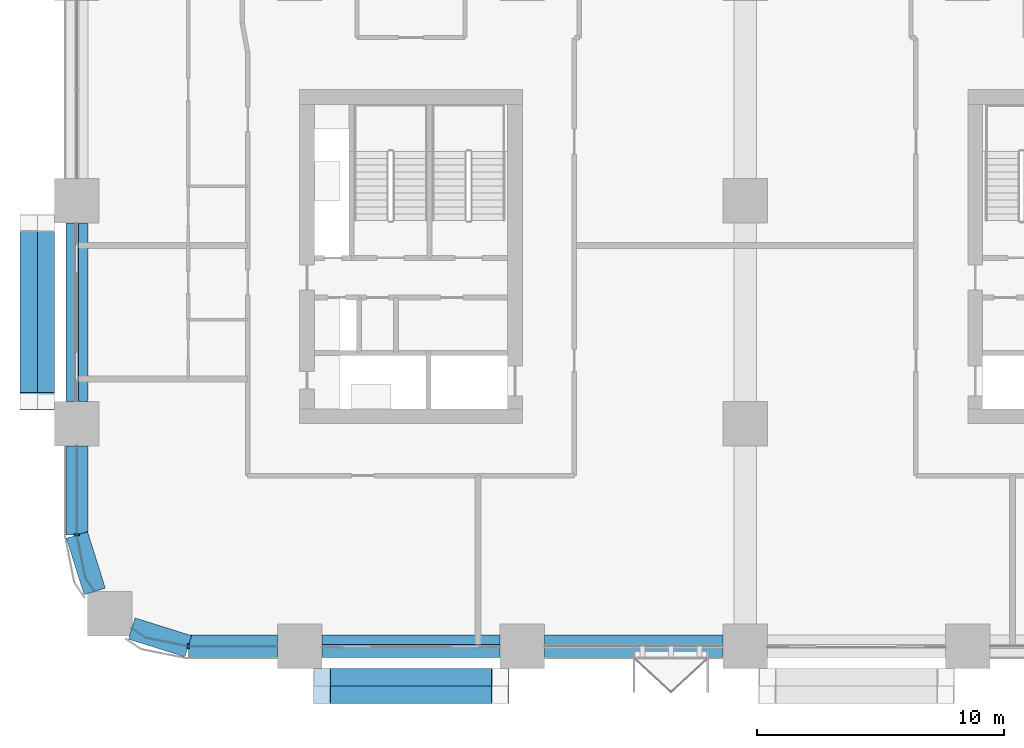
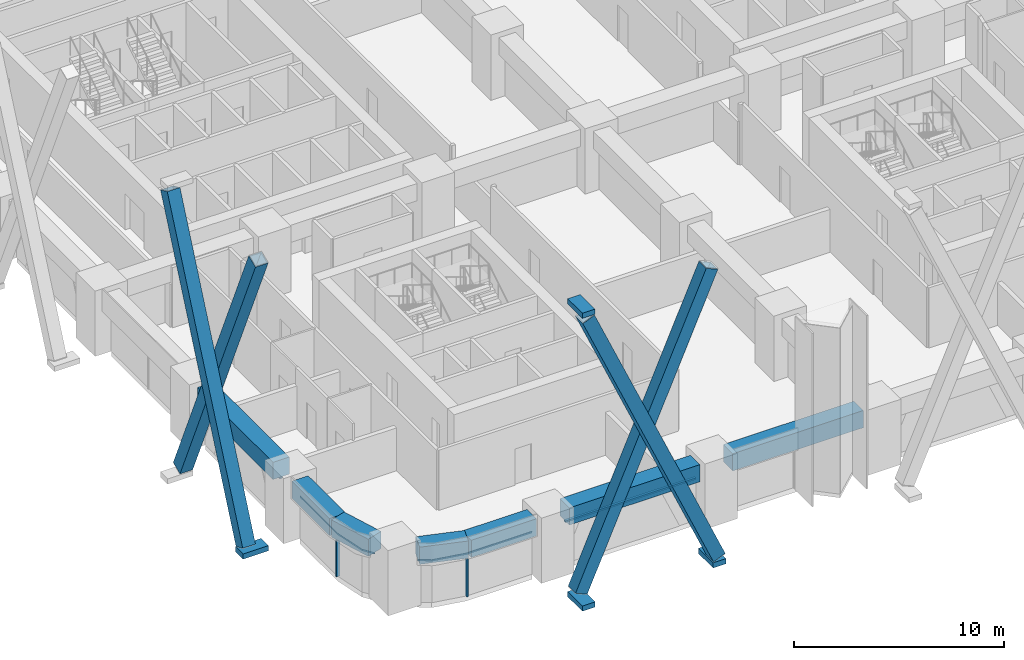
# One storey, part 2 of 24: 14 members, 7 beams, 4 elements without a shape of their own.
"""IFC4 building model written with IfcOpenShell, lengths in metres."""

from ifc_helpers import new_model, si_unit, direction, frame, origin, origin_2d, place, context, subcontext, project, spatial, polyline, rectangle, hollow_rectangle, outline, extrude, material, layer, layer_set, material_profile, profile_set, type_object, element, aggregate, save


model = new_model("IFC4")

# Units and contexts
model_context = context("Model", 3, precision=1e-05, world=origin(), true_north=direction((0.0, 1.0)))
body_context = subcontext(model_context, "Body", "Model", "MODEL_VIEW")
ifc_project = project(units=[si_unit("LENGTHUNIT", "METRE"), si_unit("AREAUNIT", "SQUARE_METRE"), si_unit("VOLUMEUNIT", "CUBIC_METRE"), si_unit("PLANEANGLEUNIT", "RADIAN"), si_unit("MASSUNIT", "GRAM", prefix="KILO")], contexts=[model_context])

# Site, building, storey
site_placement = place(None, origin())
site = spatial("IfcSite", under=ifc_project, at=site_placement, CompositionType="ELEMENT")
building_placement = place(site_placement, origin())
building = spatial("IfcBuilding", under=site, at=building_placement, Name="Tessera Arch", CompositionType="ELEMENT")
storey_placement = place(building_placement, frame((0.0, 0.0, 61.39990234375)))
storey = spatial("IfcBuildingStorey", under=building, at=storey_placement, Name="L13", CompositionType="ELEMENT", Elevation=61.39990234375)

# Members
ifc_material_1 = material(Name="Steel A572 Gr50", Category="steel")
ifc_material_profile_1 = material_profile(ifc_material_1, hollow_rectangle(XDim=0.699951171875, YDim=0.699951171875, WallThickness=0.050048828125, at=origin_2d()), Name="BOX 700x700x50")
ifc_profile_set_1 = profile_set([ifc_material_profile_1], Name="Steel A572 Gr50")
member_type_1 = type_object("IfcMemberType", Name="Brace BOX 700x700x50 Steel A572 Gr50", PredefinedType="BRACE", material=ifc_profile_set_1)
for number, where, z_axis, x_axis, name in (
    (1, (9.89990234375, -1.25, -0.7998046875), (0.402001211434, 0.0, 0.915639135252), (0.0, 1.0, 0.0), "Brace S0.0-0 A L13-L16"),
    (2, (17.10009765625, -1.949951171875, -0.7998046875), (-0.402001211434, 0.0, 0.915639135252), (0.0, -1.0, 0.0), "Brace S0.0-0 B L13-L16"),
    (3, (-1.25, 17.10009765625, -0.7998046875), (0.0, -0.402001211434, 0.915639135252), (1.0, 0.0, 0.0), "Brace W0.0-4 A L13-L16"),
    (4, (-1.949951171875, 9.89990234375, -0.7998046875), (0.0, 0.402001211434, 0.915639135252), (-1.0, 0.0, 0.0), "Brace W0.0-4 B L13-L16"),
):
    element("IfcMember", number, at=place(storey_placement, frame(where, z_axis=z_axis, x_axis=x_axis)), inside=storey, type_object=member_type_1, Name=name, PredefinedType="BRACE", context=body_context, shape_type="SweptSolid", body=[
        extrude(hollow_rectangle(XDim=0.699951171875, YDim=0.699951171875, WallThickness=0.050048828125, at=origin_2d()), origin(), (0.0, 0.0, 1.0), 17.910888671875),
    ])

# Curtain wall, member
ifc_material_2 = material(Name="CW2 curtain wall")
curtain_wall_type_1 = type_object("IfcCurtainWallType", Name="CW2 curtain wall", PredefinedType="NOTDEFINED", material=ifc_material_2)
curtain_wall_1_placement = place(storey_placement, origin())
curtain_wall_1 = element("IfcCurtainWall", 5, at=curtain_wall_1_placement, inside=storey, type_object=curtain_wall_type_1, Name="CW2 curtain wall W0.0/5 L13", PredefinedType="NOTDEFINED")
ifc_material_3 = material(Name="Anodised aluminium pale metal", Category="aluminium")
ifc_material_profile_2 = material_profile(ifc_material_3, rectangle(XDim=0.199951171875, YDim=0.080078125, at=origin_2d()), Name="AL 80x200")
ifc_profile_set_2 = profile_set([ifc_material_profile_2], Name="Anodised aluminium pale metal")
member_type_2 = type_object("IfcMemberType", Name="CW2 mullion", PredefinedType="MULLION", material=ifc_profile_set_2)
member_1_placement = place(storey_placement, frame((0.0, 4.5, 0.0), z_axis=(0.0, 0.0, 1.0), x_axis=(1.0, 0.0, 0.0)))
member_1 = element("IfcMember", 6, at=member_1_placement, type_object=member_type_2, Name="CW2 mullion W0.0/5 1", PredefinedType="MULLION", context=body_context, shape_type="SweptSolid", body=[
    extrude(rectangle(XDim=0.199951171875, YDim=0.080078125, at=origin_2d()), origin(), (0.0, 0.0, 1.0), 2.400146484375),
])

curtain_wall_2_placement = place(storey_placement, origin())
curtain_wall_2 = element("IfcCurtainWall", 7, at=curtain_wall_2_placement, inside=storey, type_object=curtain_wall_type_1, Name="CW2 curtain wall S0.0/5 L13", PredefinedType="NOTDEFINED")
member_2_placement = place(storey_placement, frame((4.5, 0.0, 0.0), z_axis=(0.0, 0.0, 1.0), x_axis=(0.0, 1.0, 0.0)))
member_2 = element("IfcMember", 8, at=member_2_placement, type_object=member_type_2, Name="CW2 mullion S0.0/5 1", PredefinedType="MULLION", context=body_context, shape_type="SweptSolid", body=[
    extrude(rectangle(XDim=0.199951171875, YDim=0.080078125, at=origin_2d()), origin(), (0.0, 0.0, 1.0), 2.400146484375),
])

# Member
ifc_material_4 = material(Name="Anodised aluminium pale metal", Category="aluminium")
ifc_material_profile_3 = material_profile(ifc_material_4, rectangle(XDim=0.199951171875, YDim=0.10009765625, at=origin_2d()), Name="AL 200x100")
ifc_profile_set_3 = profile_set([ifc_material_profile_3], Name="Anodised aluminium pale metal")
member_type_3 = type_object("IfcMemberType", Name="CW2 transom", PredefinedType="USERDEFINED", material=ifc_profile_set_3)
member_3_placement = place(storey_placement, frame((0.0, 0.0, 2.400146484375)))
member_3 = element("IfcMember", 9, at=member_3_placement, type_object=member_type_3, Name="CW2 transom W0.0/5 1", ObjectType="TRANSOM", PredefinedType="USERDEFINED", context=body_context, shape_type="SweptSolid", body=[
    extrude(outline(polyline([(0.010009765625, 4.5009765625), (0.010009765625, 8.10009765625), (-0.010009765625, 8.10009765625), (-0.010009765625, 4.4990234375), (0.3330078125, 2.77392578125), (0.70849609375, 2.21240234375), (0.72509765625, 2.2236328125), (0.351806640625, 2.78173828125), (0.010009765625, 4.5009765625)])), origin(), (0.0, 0.0, 1.0), 0.099853515625),
])

aggregate(curtain_wall_1, [member_1, member_3])

member_4_placement = place(storey_placement, frame((0.0, 0.0, 2.400146484375)))
member_4 = element("IfcMember", 10, at=member_4_placement, type_object=member_type_3, Name="CW2 transom S0.0/5 1", ObjectType="TRANSOM", PredefinedType="USERDEFINED", context=body_context, shape_type="SweptSolid", body=[
    extrude(outline(polyline([(2.78173828125, 0.351806640625), (2.2236328125, 0.72509765625), (2.21240234375, 0.70849609375), (2.77392578125, 0.3330078125), (4.4990234375, -0.010009765625), (8.10009765625, -0.010009765625), (8.10009765625, 0.010009765625), (4.5009765625, 0.010009765625), (2.78173828125, 0.351806640625)])), origin(), (0.0, 0.0, 1.0), 0.099853515625),
])

aggregate(curtain_wall_2, [member_2, member_4])

# Curtain wall, member
ifc_material_5 = material(Name="CW3 curtain wall")
curtain_wall_type_2 = type_object("IfcCurtainWallType", Name="CW3 curtain wall", PredefinedType="NOTDEFINED", material=ifc_material_5)
curtain_wall_3_placement = place(storey_placement, origin())
curtain_wall_3 = element("IfcCurtainWall", 11, at=curtain_wall_3_placement, inside=storey, type_object=curtain_wall_type_2, Name="CW3 curtain wall S0.0/0 L13", PredefinedType="NOTDEFINED")
ifc_material_6 = material(Name="Anodised aluminium pale metal", Category="aluminium")
ifc_material_profile_4 = material_profile(ifc_material_6, rectangle(XDim=0.139892578125, YDim=0.10009765625, at=origin_2d()), Name="AL 140x100")
ifc_profile_set_4 = profile_set([ifc_material_profile_4], Name="Anodised aluminium pale metal")
member_type_4 = type_object("IfcMemberType", Name="CW3 transom", PredefinedType="USERDEFINED", material=ifc_profile_set_4)
member_5_placement = place(storey_placement, frame((9.89990234375, 0.0, 2.4501953125), z_axis=(1.0, 0.0, 0.0), x_axis=(0.0, 1.0, 0.0)))
member_5 = element("IfcMember", 12, at=member_5_placement, type_object=member_type_4, Name="CW3 transom S0.0/0 1.1", ObjectType="TRANSOM", PredefinedType="USERDEFINED", context=body_context, shape_type="SweptSolid", body=[
    extrude(rectangle(XDim=0.139892578125, YDim=0.10009765625, at=origin_2d()), origin(), (0.0, 0.0, 1.0), 7.2001953125),
])
aggregate(curtain_wall_3, [member_5])

curtain_wall_4_placement = place(storey_placement, origin())
curtain_wall_4 = element("IfcCurtainWall", 13, at=curtain_wall_4_placement, inside=storey, type_object=curtain_wall_type_2, Name="CW3 curtain wall W0.0/4 L13", PredefinedType="NOTDEFINED")
member_6_placement = place(storey_placement, frame((0.0, 17.10009765625, 2.4501953125), z_axis=(0.0, -1.0, 0.0), x_axis=(1.0, 0.0, 0.0)))
member_6 = element("IfcMember", 14, at=member_6_placement, type_object=member_type_4, Name="CW3 transom W0.0/4 1.1", ObjectType="TRANSOM", PredefinedType="USERDEFINED", context=body_context, shape_type="SweptSolid", body=[
    extrude(rectangle(XDim=0.139892578125, YDim=0.10009765625, at=origin_2d()), origin(), (0.0, 0.0, 1.0), 7.2001953125),
])
aggregate(curtain_wall_4, [member_6])

# Members
ifc_material_7 = material(Name="Steel A572 Gr50", Category="steel")
ifc_layer = layer(ifc_material_7, 0.050048828125)
ifc_layer_set = layer_set([ifc_layer], Name="Node block Steel A572 Gr50")
member_type_5 = type_object("IfcMemberType", Name="Node block Steel A572 Gr50", PredefinedType="PLATE", material=ifc_layer_set)
for number, where, z_axis, x_axis, name in (
    (15, (17.10009765625, -1.60009765625, -1.27734375), (0.0, 0.0, 1.0), (1.0, 0.0, 0.0), "Node block seat S0.0-0 1 L13"),
    (16, (9.89990234375, -1.60009765625, -1.27734375), (0.0, 0.0, 1.0), (1.0, 0.0, 0.0), "Node block seat S0.0-0 2 L13"),
    (17, (9.89990234375, -1.60009765625, 15.77734375), (0.0, 0.0, 1.0), (1.0, 0.0, 0.0), "Node block head S0.0-0 B L13"),
    (18, (-1.60009765625, 9.89990234375, -1.27734375), (0.0, 0.0, 1.0), (0.0, -1.0, 0.0), "Node block seat W0.0-4 1 L13"),
):
    element("IfcMember", number, at=place(storey_placement, frame(where, z_axis=z_axis, x_axis=x_axis)), inside=storey, type_object=member_type_5, Name=name, PredefinedType="PLATE", context=body_context, shape_type="SweptSolid", body=[
        extrude(rectangle(XDim=0.699951171875, YDim=1.39990234375, at=origin_2d()), origin(), (0.0, 0.0, 1.0), 0.300048828125),
    ])

# Beams
ifc_material_8 = material(Name="Concrete C80/95", Category="concrete")
ifc_material_profile_5 = material_profile(ifc_material_8, rectangle(XDim=0.89990234375, YDim=1.0, at=origin_2d()), Name="RC spandrel beam 900 x 1000 Concrete C80/95")
ifc_profile_set_5 = profile_set([ifc_material_profile_5], Name="Concrete C80/95")
beam_type = type_object("IfcBeamType", Name="RC spandrel beam 900 x 1000 Concrete C80/95", PredefinedType="BEAM", material=ifc_profile_set_5)
for number, where, z_axis, x_axis, name in (
    (19, (9.89990234375, 0.0, 3.0), (1.0, 0.0, 0.0), (0.0, 1.0, 0.0), "Spandrel beam L13 S0.0/0"),
    (20, (18.89990234375, 0.0, 3.0), (1.0, 0.0, 0.0), (0.0, 1.0, 0.0), "Spandrel beam L13 S0.0/1"),
    (21, (0.0, 17.10009765625, 3.0), (0.0, -1.0, 0.0), (1.0, 0.0, 0.0), "Spandrel beam L13 W0.0/4"),
):
    element("IfcBeam", number, at=place(storey_placement, frame(where, z_axis=z_axis, x_axis=x_axis)), inside=storey, type_object=beam_type, Name=name, PredefinedType="BEAM", context=body_context, shape_type="SweptSolid", body=[
        extrude(rectangle(XDim=0.89990234375, YDim=1.0, at=origin_2d()), origin(), (0.0, 0.0, 1.0), 7.2001953125),
    ])
beam_1_placement = place(storey_placement, frame((0.0, 8.10009765625, 3.0), z_axis=(0.0, -1.0, 0.0), x_axis=(1.0, 0.0, 0.0)))
element("IfcBeam", 22, at=beam_1_placement, inside=storey, type_object=beam_type, Name="Spandrel beam L13 W0.0/5.1", PredefinedType="BEAM", context=body_context, shape_type="SweptSolid", body=[
    extrude(rectangle(XDim=0.89990234375, YDim=1.0, at=origin_2d()), origin(), (0.0, 0.0, 1.0), 3.60009765625),
])
for number, where, z_axis, x_axis, name in (
    (23, (0.0, 4.5, 3.0), (0.299675309057, -0.954041251279, 0.0), (0.954041251279, 0.299675309057, 0.0), "Spandrel beam L13 W0.0/5.2"),
    (24, (2.218017578125, 0.716796875, 3.0), (0.954041251279, -0.299675309057, 0.0), (0.299675309057, 0.954041251279, 0.0), "Spandrel beam L13 S0.0/5.1"),
):
    element("IfcBeam", number, at=place(storey_placement, frame(where, z_axis=z_axis, x_axis=x_axis)), inside=storey, type_object=beam_type, Name=name, PredefinedType="BEAM", context=body_context, shape_type="SweptSolid", body=[
        extrude(rectangle(XDim=0.89990234375, YDim=1.0, at=origin_2d()), origin(), (0.0, 0.0, 1.0), 2.391845703125),
    ])
beam_2_placement = place(storey_placement, frame((4.5, 0.0, 3.0), z_axis=(1.0, 0.0, 0.0), x_axis=(0.0, 1.0, 0.0)))
element("IfcBeam", 25, at=beam_2_placement, inside=storey, type_object=beam_type, Name="Spandrel beam L13 S0.0/5.2", PredefinedType="BEAM", context=body_context, shape_type="SweptSolid", body=[
    extrude(rectangle(XDim=0.89990234375, YDim=1.0, at=origin_2d()), origin(), (0.0, 0.0, 1.0), 3.60009765625),
])

save(model, "model.ifc")
